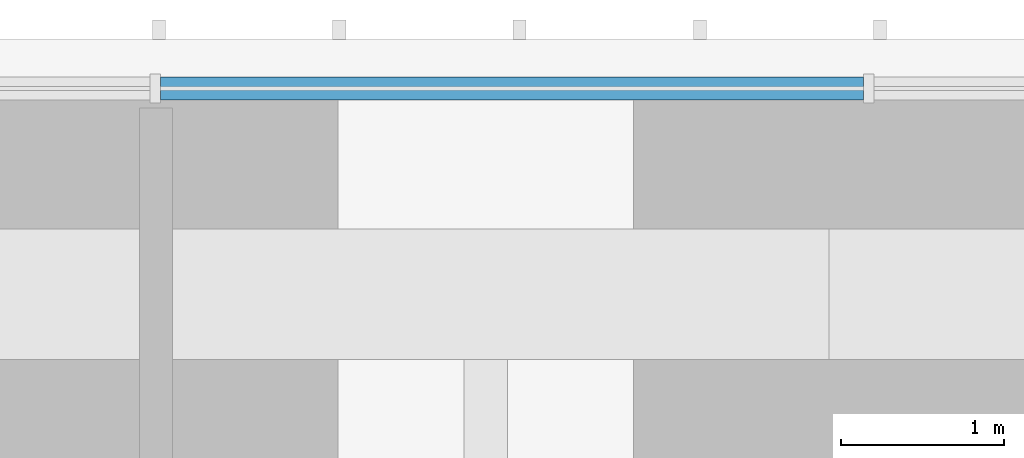
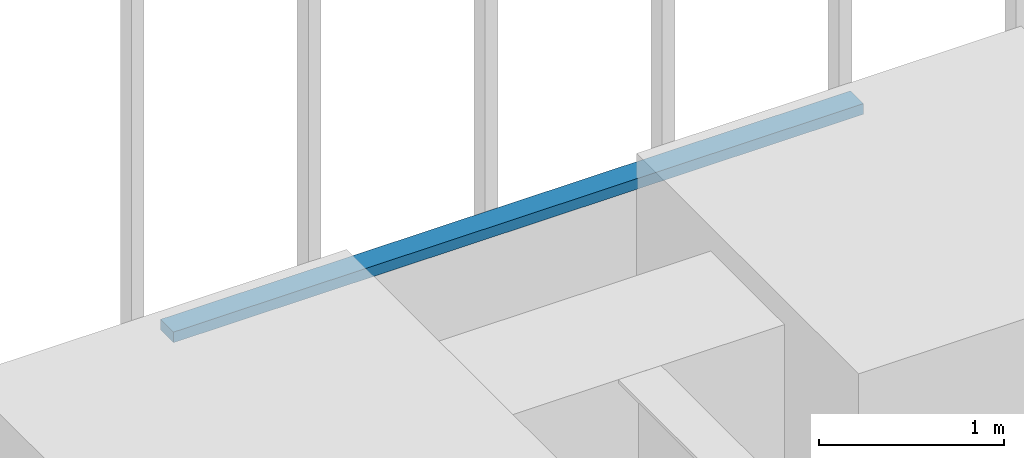
# One storey, part 216 of 256: 1 member, 1 element without a shape of its own.
"""IFC4 building model written with IfcOpenShell, lengths in metres."""

from ifc_helpers import new_model, si_unit, direction, frame, origin, origin_2d, place, context, subcontext, project, spatial, rectangle, extrude, material, material_profile, profile_set, type_object, element, aggregate, save


model = new_model("IFC4")

# Units and contexts
model_context = context("Model", 3, precision=1e-05, world=origin(), true_north=direction((0.0, 1.0)))
body_context = subcontext(model_context, "Body", "Model", "MODEL_VIEW")
ifc_project = project(units=[si_unit("LENGTHUNIT", "METRE"), si_unit("AREAUNIT", "SQUARE_METRE"), si_unit("VOLUMEUNIT", "CUBIC_METRE"), si_unit("PLANEANGLEUNIT", "RADIAN"), si_unit("MASSUNIT", "GRAM", prefix="KILO")], contexts=[model_context])

# Site, building, storey
site_placement = place(None, origin())
site = spatial("IfcSite", under=ifc_project, at=site_placement, CompositionType="ELEMENT")
building_placement = place(site_placement, origin())
building = spatial("IfcBuilding", under=site, at=building_placement, Name="Sandreach Pilgrim Tower", CompositionType="ELEMENT")
storey_placement = place(building_placement, frame((0.0, 0.0, 23.0)))
storey = spatial("IfcBuildingStorey", under=building, at=storey_placement, Name="L04", CompositionType="ELEMENT", Elevation=23.0)

# Curtain wall, member
ifc_material_1 = material(Name="Aluminium framed curtain wall", Category="aluminium")
curtain_wall_type = type_object("IfcCurtainWallType", Name="Hostel tower curtain wall", PredefinedType="NOTDEFINED", material=ifc_material_1)
curtain_wall_placement = place(storey_placement, origin())
curtain_wall = element("IfcCurtainWall", 1, at=curtain_wall_placement, inside=storey, type_object=curtain_wall_type, Name="CW-1 L04 N", PredefinedType="NOTDEFINED")
ifc_material_2 = material(Name="Aluminium extrusion", Category="aluminium")
ifc_material_profile = material_profile(ifc_material_2, rectangle(XDim=0.139892578125, YDim=0.070068359375, at=origin_2d()), Name="CW-1T 140X70")
ifc_profile_set = profile_set([ifc_material_profile], Name="Aluminium extrusion")
member_type = type_object("IfcMemberType", Name="CW-1 transom", PredefinedType="USERDEFINED", material=ifc_profile_set)
member_placement = place(storey_placement, frame((2.21826171875, 23.94873046875, 3.60498046875), z_axis=(1.0, 0.0, 0.0), x_axis=(0.0, 1.0, 0.0)))
member = element("IfcMember", 2, at=member_placement, type_object=member_type, Name="CW-1 head transom 6", ObjectType="TRANSOM", PredefinedType="USERDEFINED", context=body_context, shape_type="SweptSolid", body=[
    extrude(rectangle(XDim=0.139892578125, YDim=0.070068359375, at=origin_2d()), origin(), (0.0, 0.0, 1.0), 4.306640625),
])
aggregate(curtain_wall, [member])

save(model, "model.ifc")
